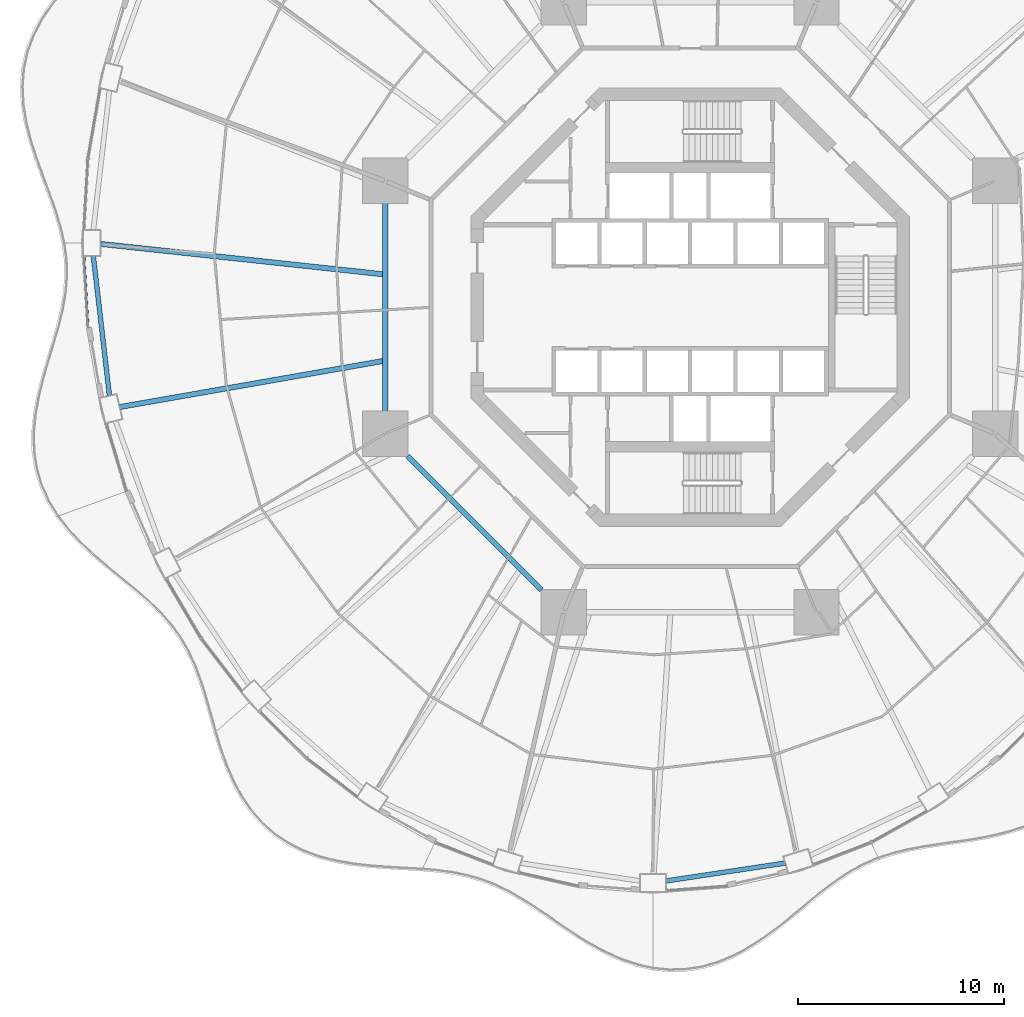
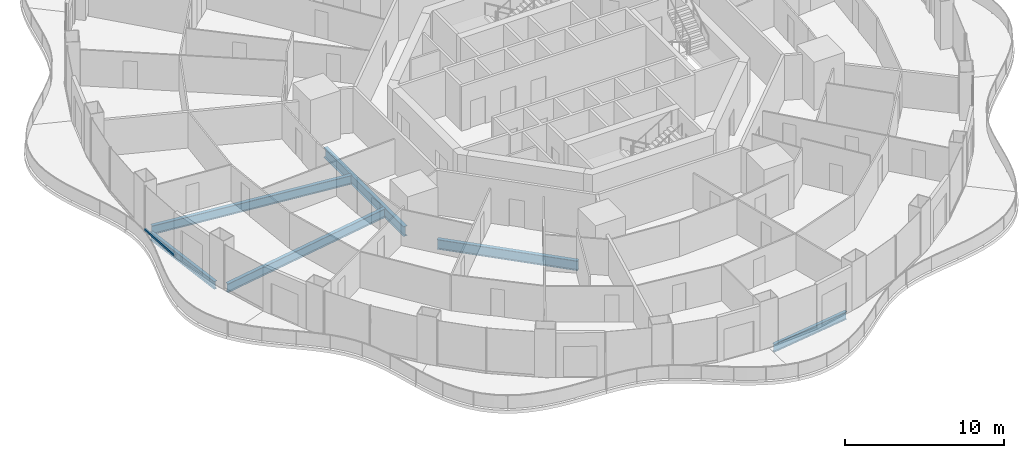
# One storey, part 4 of 24: 6 beams, 1 member, 1 element without a shape of its own.
"""IFC4 building model written with IfcOpenShell, lengths in metres."""

from ifc_helpers import new_model, si_unit, direction, frame, origin, origin_2d, place, context, subcontext, project, spatial, rectangle, i_section, extrude, material, layer, layer_set, material_profile, profile_set, type_object, element, aggregate, save


model = new_model("IFC4")

# Units and contexts
model_context = context("Model", 3, precision=1e-05, world=origin(), true_north=direction((0.0, 1.0)))
body_context = subcontext(model_context, "Body", "Model", "MODEL_VIEW")
ifc_project = project(units=[si_unit("LENGTHUNIT", "METRE"), si_unit("AREAUNIT", "SQUARE_METRE"), si_unit("VOLUMEUNIT", "CUBIC_METRE"), si_unit("PLANEANGLEUNIT", "RADIAN"), si_unit("MASSUNIT", "GRAM", prefix="KILO")], contexts=[model_context])

# Site, building, storey
site_placement = place(None, origin())
site = spatial("IfcSite", under=ifc_project, at=site_placement, CompositionType="ELEMENT")
building_placement = place(site_placement, origin())
building = spatial("IfcBuilding", under=site, at=building_placement, Name="Nagisa Residences", CompositionType="ELEMENT")
storey_placement = place(building_placement, frame((0.0, 0.0, 102.89990234375)))
storey = spatial("IfcBuildingStorey", under=building, at=storey_placement, Name="L25", CompositionType="ELEMENT", Elevation=102.89990234375)

# Curtain wall, member
ifc_material_1 = material(Name="Concrete-coloured aluminium curtain wall system", Category="concrete")
ifc_layer = layer(ifc_material_1, 0.159912109375)
ifc_layer_set = layer_set([ifc_layer], Name="CW1 CURTAIN WALL")
curtain_wall_type = type_object("IfcCurtainWallType", Name="CW1 CURTAIN WALL", PredefinedType="NOTDEFINED", material=ifc_layer_set)
curtain_wall_placement = place(storey_placement, origin())
curtain_wall = element("IfcCurtainWall", 1, at=curtain_wall_placement, inside=storey, type_object=curtain_wall_type, Name="cw:CW1:L25:24", PredefinedType="NOTDEFINED")
ifc_material_2 = material(Name="Concrete-coloured aluminium", Category="concrete")
ifc_material_profile_1 = material_profile(ifc_material_2, rectangle(XDim=0.1201171875, YDim=0.14990234375, at=origin_2d()), Name="CW1 TRANSOM 120x150")
ifc_profile_set_1 = profile_set([ifc_material_profile_1], Name="Concrete-coloured aluminium")
member_type = type_object("IfcMemberType", Name="CW1 TRANSOM 120x150", PredefinedType="USERDEFINED", material=ifc_profile_set_1)
member_placement = place(storey_placement, frame((-29.377685546875, 2.473388671875, 0.0751953125), z_axis=(0.057476526179, -0.99834685803, 0.0), x_axis=(0.99834685803, 0.057476526179, 0.0)))
member = element("IfcMember", 2, at=member_placement, type_object=member_type, Name="CW1 transom", ObjectType="TRANSOM", PredefinedType="USERDEFINED", context=body_context, shape_type="SweptSolid", body=[
    extrude(rectangle(XDim=0.1201171875, YDim=0.14990234375, at=origin_2d()), origin(), (0.0, 0.0, 1.0), 3.47021484375),
])
aggregate(curtain_wall, [member])

# Beams
ifc_material_3 = material(Name="Steel ASTM A572 Gr 50", Category="steel")
ifc_material_profile_2 = material_profile(ifc_material_3, i_section(OverallWidth=0.264892578125, OverallDepth=0.7529296875, WebThickness=0.01318359375, FlangeThickness=0.01708984375, at=origin_2d()), Name="W760x147")
ifc_profile_set_2 = profile_set([ifc_material_profile_2], Name="Steel ASTM A572 Gr 50")
beam_type_1 = type_object("IfcBeamType", Name="Inner ring beam W760x147", PredefinedType="BEAM", material=ifc_profile_set_2)
beam_1_placement = place(storey_placement, frame((-14.781982421875, 5.04296875, -0.636474609375), z_axis=(0.0, -1.0, 0.0), x_axis=(1.0, 0.0, 0.0)))
element("IfcBeam", 3, at=beam_1_placement, inside=storey, type_object=beam_type_1, Name="beam:L25:ib4", PredefinedType="BEAM", context=body_context, shape_type="SweptSolid", body=[
    extrude(i_section(OverallWidth=0.264892578125, OverallDepth=0.7529296875, WebThickness=0.01318359375, FlangeThickness=0.01708984375, at=origin_2d()), origin(), (0.0, 0.0, 1.0), 10.0859375),
])
beam_2_placement = place(storey_placement, frame((-13.6962890625, -7.208740234375, -0.636474609375), z_axis=(0.707106781187, -0.707106781187, 0.0), x_axis=(0.707106781187, 0.707106781187, 0.0)))
element("IfcBeam", 4, at=beam_2_placement, inside=storey, type_object=beam_type_1, Name="beam:L25:ib5", PredefinedType="BEAM", context=body_context, shape_type="SweptSolid", body=[
    extrude(i_section(OverallWidth=0.264892578125, OverallDepth=0.7529296875, WebThickness=0.01318359375, FlangeThickness=0.01708984375, at=origin_2d()), origin(), (0.0, 0.0, 1.0), 9.1748046875),
])
ifc_material_4 = material(Name="Steel ASTM A572 Gr 50", Category="steel")
ifc_material_profile_3 = material_profile(ifc_material_4, i_section(OverallWidth=0.22802734375, OverallDepth=0.60302734375, WebThickness=0.010498046875, FlangeThickness=0.014892578125, at=origin_2d()), Name="W610x101")
ifc_profile_set_3 = profile_set([ifc_material_profile_3], Name="Steel ASTM A572 Gr 50")
beam_type_2 = type_object("IfcBeamType", Name="Perimeter ring beam W610x101", PredefinedType="BEAM", material=ifc_profile_set_3)
beam_3_placement = place(storey_placement, frame((-28.92236328125, 2.487548828125, -0.5615234375), z_axis=(0.114690766503, -0.993401242237, 0.0), x_axis=(0.993401242237, 0.114690766503, 0.0)))
element("IfcBeam", 5, at=beam_3_placement, inside=storey, type_object=beam_type_2, Name="beam:L25:pb13", PredefinedType="BEAM", context=body_context, shape_type="SweptSolid", body=[
    extrude(i_section(OverallWidth=0.22802734375, OverallDepth=0.60302734375, WebThickness=0.010498046875, FlangeThickness=0.014892578125, at=origin_2d()), origin(), (0.0, 0.0, 1.0), 6.811767578125),
])
beam_4_placement = place(storey_placement, frame((-1.169677734375, -27.802734375, -0.5615234375), z_axis=(0.988913048607, 0.148495731568, 0.0), x_axis=(-0.148495731568, 0.988913048607, 0.0)))
element("IfcBeam", 6, at=beam_4_placement, inside=storey, type_object=beam_type_2, Name="beam:L25:pb19", PredefinedType="BEAM", context=body_context, shape_type="SweptSolid", body=[
    extrude(i_section(OverallWidth=0.22802734375, OverallDepth=0.60302734375, WebThickness=0.010498046875, FlangeThickness=0.014892578125, at=origin_2d()), origin(), (0.0, 0.0, 1.0), 5.843017578125),
])
ifc_material_5 = material(Name="Steel ASTM A572 Gr 50", Category="steel")
ifc_material_profile_4 = material_profile(ifc_material_5, i_section(OverallWidth=0.2529296875, OverallDepth=0.677978515625, WebThickness=0.01171875, FlangeThickness=0.016357421875, at=origin_2d()), Name="W690x125")
ifc_profile_set_4 = profile_set([ifc_material_profile_4], Name="Steel ASTM A572 Gr 50")
beam_type_3 = type_object("IfcBeamType", Name="Radial beam W690x125", PredefinedType="BEAM", material=ifc_profile_set_4)
beam_5_placement = place(storey_placement, frame((-28.56494140625, 3.071533203125, -0.598876953125), z_axis=(0.99426817007, -0.10691494744, 0.0), x_axis=(0.10691494744, 0.99426817007, 0.0)))
element("IfcBeam", 7, at=beam_5_placement, inside=storey, type_object=beam_type_3, Name="beam:L25:rb13", PredefinedType="BEAM", context=body_context, shape_type="SweptSolid", body=[
    extrude(i_section(OverallWidth=0.2529296875, OverallDepth=0.677978515625, WebThickness=0.01171875, FlangeThickness=0.016357421875, at=origin_2d()), origin(), (0.0, 0.0, 1.0), 13.7490234375),
])
beam_6_placement = place(storey_placement, frame((-27.64404296875, -4.83544921875, -0.598876953125), z_axis=(0.985042235616, 0.172313069883, 0.0), x_axis=(-0.172313069883, 0.985042235616, 0.0)))
element("IfcBeam", 8, at=beam_6_placement, inside=storey, type_object=beam_type_3, Name="beam:L25:rb14", PredefinedType="BEAM", context=body_context, shape_type="SweptSolid", body=[
    extrude(i_section(OverallWidth=0.2529296875, OverallDepth=0.677978515625, WebThickness=0.01171875, FlangeThickness=0.016357421875, at=origin_2d()), origin(), (0.0, 0.0, 1.0), 12.94287109375),
])

save(model, "model.ifc")
